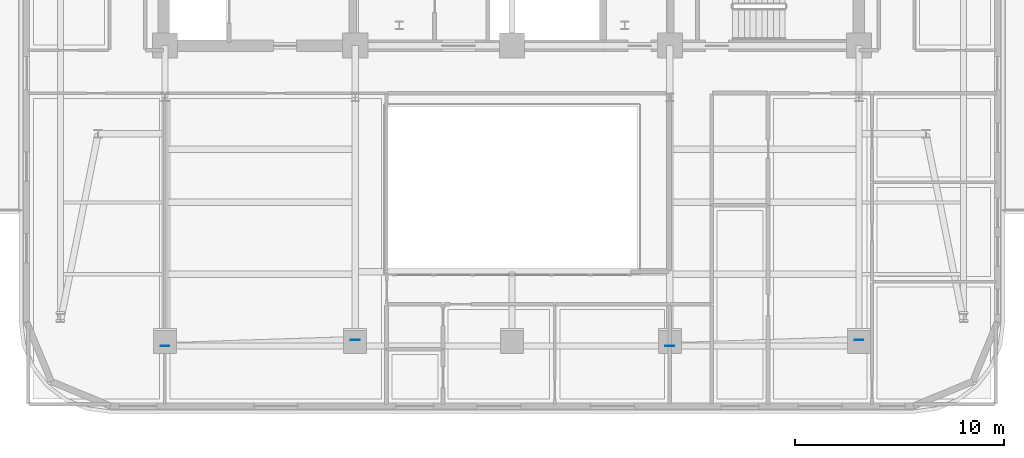
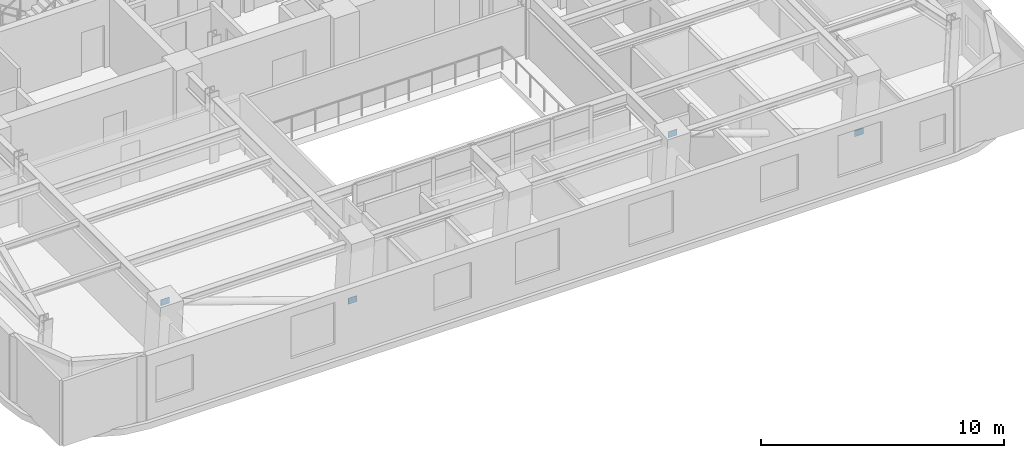
# One storey, part 5 of 13: 4 plates.
"""IFC4 building model written with IfcOpenShell, lengths in metres."""

from ifc_helpers import new_model, si_unit, direction, frame, origin, origin_2d, place, context, subcontext, project, spatial, rectangle, extrude, material, layer, layer_set, type_object, element, save


model = new_model("IFC4")

# Units and contexts
model_context = context("Model", 3, precision=1e-05, world=origin(), true_north=direction((0.0, 1.0)))
body_context = subcontext(model_context, "Body", "Model", "MODEL_VIEW")
ifc_project = project(units=[si_unit("LENGTHUNIT", "METRE"), si_unit("AREAUNIT", "SQUARE_METRE"), si_unit("VOLUMEUNIT", "CUBIC_METRE"), si_unit("PLANEANGLEUNIT", "RADIAN"), si_unit("MASSUNIT", "GRAM", prefix="KILO")], contexts=[model_context])

# Site, building, storey
site_placement = place(None, origin())
site = spatial("IfcSite", under=ifc_project, at=site_placement, CompositionType="ELEMENT")
building_placement = place(site_placement, origin())
building = spatial("IfcBuilding", under=site, at=building_placement, Name="Zarnavel Station Tower", CompositionType="ELEMENT")
storey_placement = place(building_placement, frame((0.0, 0.0, 137.699951171875)))
storey = spatial("IfcBuildingStorey", under=building, at=storey_placement, Name="L37", CompositionType="ELEMENT", Elevation=137.699951171875)

# Plates
ifc_material = material(Name="Steel S460M", Category="steel")
ifc_layer = layer(ifc_material, 0.02490234375)
ifc_layer_set = layer_set([ifc_layer], Name="GP_GUSSET_25")
plate_type = type_object("IfcPlateType", Name="GP_GUSSET_25", PredefinedType="USERDEFINED", material=ifc_layer_set)
for number, where, z_axis, x_axis, name in (
    (1, (21.300048828125, 13.74951171875, -0.14990234375), (0.0, 0.0, 1.0), (1.0, 0.0, 0.0), "L37 Exterior Diagonal Brace End Gusset 1-1"),
    (2, (12.199951171875, 13.451416015625, 3.14013671875), (0.0, 0.0, 1.0), (1.0, 0.0, 0.0), "L37 Exterior Diagonal Brace End Gusset 1-2"),
    (3, (45.39990234375, 13.74951171875, -0.14990234375), (0.0, 0.0, 1.0), (1.0, 0.0, 0.0), "L37 Exterior Diagonal Brace End Gusset 2-1"),
    (4, (36.35009765625, 13.451416015625, 3.14013671875), (0.0, 0.0, 1.0), (1.0, 0.0, 0.0), "L37 Exterior Diagonal Brace End Gusset 2-2"),
):
    element("IfcPlate", number, at=place(storey_placement, frame(where, z_axis=z_axis, x_axis=x_axis)), inside=storey, type_object=plate_type, Name=name, ObjectType="GUSSET_PLATE", PredefinedType="USERDEFINED", context=body_context, shape_type="SweptSolid", body=[
        extrude(rectangle(XDim=0.419921875, YDim=0.02490234375, at=origin_2d()), origin(), (0.0, 0.0, 1.0), 0.300048828125),
    ])

save(model, "model.ifc")
